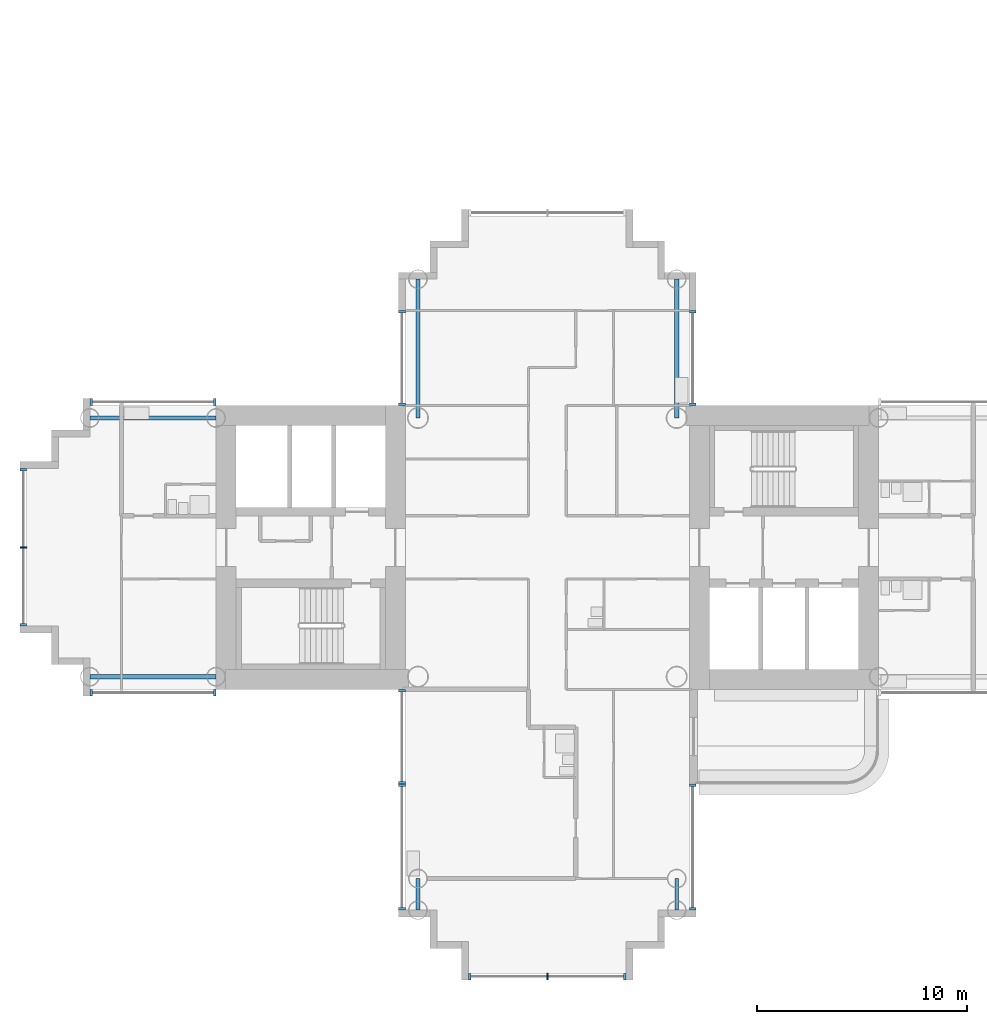
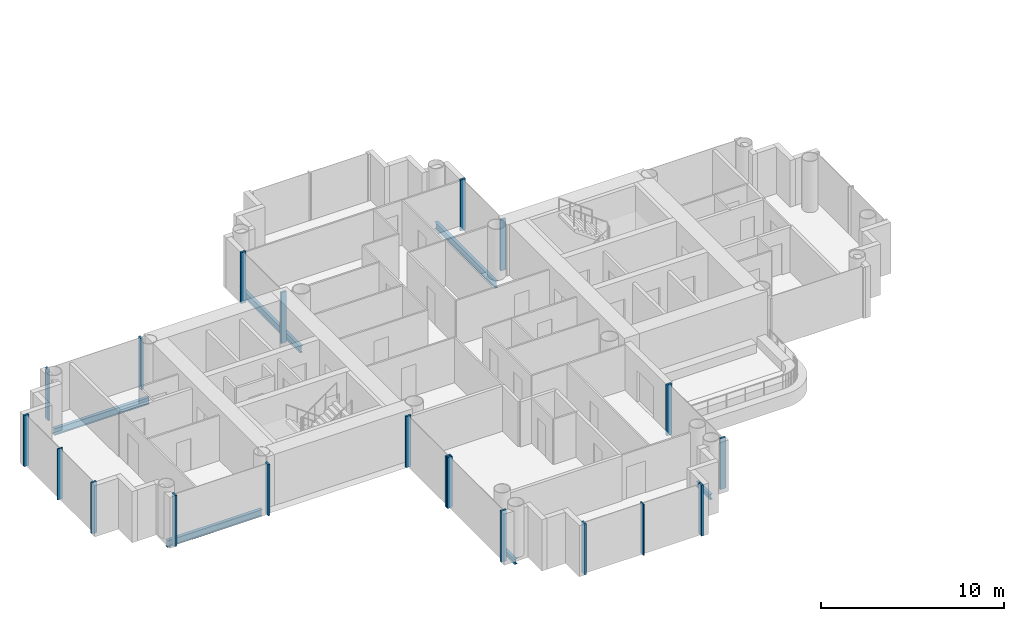
# One storey, part 3 of 21: 20 members, 6 beams, 9 elements without a shape of their own.
"""IFC4 building model written with IfcOpenShell, lengths in metres."""

from ifc_helpers import new_model, si_unit, direction, frame, origin, origin_2d, place, context, subcontext, project, spatial, rectangle, i_section, extrude, material, layer, layer_set, material_profile, profile_set, type_object, element, aggregate, save


model = new_model("IFC4")

# Units and contexts
model_context = context("Model", 3, precision=1e-05, world=origin(), true_north=direction((0.0, 1.0)))
body_context = subcontext(model_context, "Body", "Model", "MODEL_VIEW")
ifc_project = project(units=[si_unit("LENGTHUNIT", "METRE"), si_unit("AREAUNIT", "SQUARE_METRE"), si_unit("VOLUMEUNIT", "CUBIC_METRE"), si_unit("PLANEANGLEUNIT", "RADIAN"), si_unit("MASSUNIT", "GRAM", prefix="KILO")], contexts=[model_context])

# Site, building, storey
site_placement = place(None, origin())
site = spatial("IfcSite", under=ifc_project, at=site_placement, CompositionType="ELEMENT")
building_placement = place(site_placement, origin())
building = spatial("IfcBuilding", under=site, at=building_placement, Name="Ipe Terrace Towers", CompositionType="ELEMENT")
storey_placement = place(building_placement, frame((0.0, 0.0, 103.800048828125)))
storey = spatial("IfcBuildingStorey", under=building, at=storey_placement, Name="L28", CompositionType="ELEMENT", Elevation=103.800048828125)

# Beams
ifc_material_1 = material(Name="Steel S355", Category="steel")
ifc_material_profile_1 = material_profile(ifc_material_1, i_section(OverallWidth=0.175048828125, OverallDepth=0.35009765625, WebThickness=0.007080078125, FlangeThickness=0.010986328125, at=origin_2d()), Name="H-350x175x7x11")
ifc_profile_set_1 = profile_set([ifc_material_profile_1], Name="Steel S355")
beam_type_1 = type_object("IfcBeamType", Name="H04 EDGE BEAM H-350x175x7x11", PredefinedType="BEAM", material=ifc_profile_set_1)
for number, where, z_axis, x_axis, name in (
    (1, (-42.14990234375, -15.75, -0.574951171875), (0.0, -1.0, 0.0), (1.0, 0.0, 0.0), "Edge beam T1-EB-D03-D05"),
    (2, (-29.85009765625, -15.75, -0.574951171875), (0.0, -1.0, 0.0), (1.0, 0.0, 0.0), "Edge beam T1-EB-D04-D06"),
):
    element("IfcBeam", number, at=place(storey_placement, frame(where, z_axis=z_axis, x_axis=x_axis)), inside=storey, type_object=beam_type_1, Name=name, PredefinedType="BEAM", context=body_context, shape_type="SweptSolid", body=[
        extrude(i_section(OverallWidth=0.175048828125, OverallDepth=0.35009765625, WebThickness=0.007080078125, FlangeThickness=0.010986328125, at=origin_2d()), origin(), (0.0, 0.0, 1.0), 1.5),
    ])
ifc_material_2 = material(Name="Steel S355", Category="steel")
ifc_material_profile_2 = material_profile(ifc_material_2, i_section(OverallWidth=0.199951171875, OverallDepth=0.449951171875, WebThickness=0.009033203125, FlangeThickness=0.013916015625, at=origin_2d()), Name="H-450x200x9x14")
ifc_profile_set_2 = profile_set([ifc_material_profile_2], Name="Steel S355")
beam_type_2 = type_object("IfcBeamType", Name="H08 EDGE BEAM H-450x200x9x14", PredefinedType="BEAM", material=ifc_profile_set_2)
for number, where, z_axis, x_axis, name in (
    (3, (-29.85009765625, 12.75, -0.625), (0.0, -1.0, 0.0), (1.0, 0.0, 0.0), "Edge beam T1-EB-B01-E03"),
    (4, (-42.14990234375, 12.75, -0.625), (0.0, -1.0, 0.0), (1.0, 0.0, 0.0), "Edge beam T1-EB-B02-E04"),
):
    element("IfcBeam", number, at=place(storey_placement, frame(where, z_axis=z_axis, x_axis=x_axis)), inside=storey, type_object=beam_type_2, Name=name, PredefinedType="BEAM", context=body_context, shape_type="SweptSolid", body=[
        extrude(i_section(OverallWidth=0.199951171875, OverallDepth=0.449951171875, WebThickness=0.009033203125, FlangeThickness=0.013916015625, at=origin_2d()), origin(), (0.0, 0.0, 1.0), 6.60009765625),
    ])
for number, where, z_axis, x_axis, name in (
    (5, (-51.75, -6.14990234375, -0.625), (-1.0, 0.0, 0.0), (0.0, -1.0, 0.0), "Edge beam T1-EB-C01-C03"),
    (6, (-51.75, 6.14990234375, -0.625), (-1.0, 0.0, 0.0), (0.0, -1.0, 0.0), "Edge beam T1-EB-C02-C04"),
):
    element("IfcBeam", number, at=place(storey_placement, frame(where, z_axis=z_axis, x_axis=x_axis)), inside=storey, type_object=beam_type_2, Name=name, PredefinedType="BEAM", context=body_context, shape_type="SweptSolid", body=[
        extrude(i_section(OverallWidth=0.199951171875, OverallDepth=0.449951171875, WebThickness=0.009033203125, FlangeThickness=0.013916015625, at=origin_2d()), origin(), (0.0, 0.0, 1.0), 6.0),
    ])

# Curtain wall, members
ifc_material_3 = material(Name="Aluminium alloy 6063-T6", Category="aluminium")
ifc_layer = layer(ifc_material_3, 0.320068359375)
ifc_layer_set = layer_set([ifc_layer], Name="TOWER UNITISED CURTAIN WALL")
curtain_wall_type = type_object("IfcCurtainWallType", Name="TOWER UNITISED CURTAIN WALL", PredefinedType="NOTDEFINED", material=ifc_layer_set)
curtain_wall_1_placement = place(storey_placement, origin())
curtain_wall_1 = element("IfcCurtainWall", 7, at=curtain_wall_1_placement, inside=storey, type_object=curtain_wall_type, Name="T1-CW-L28-04a curtain wall", PredefinedType="NOTDEFINED")
ifc_material_4 = material(Name="Aluminium alloy 6063-T6", Category="aluminium")
ifc_material_profile_3 = material_profile(ifc_material_4, rectangle(XDim=0.320068359375, YDim=0.1201171875, at=origin_2d()), Name="TOWER UNITISED CORNER MULLION 320 x 120")
ifc_profile_set_3 = profile_set([ifc_material_profile_3], Name="Aluminium alloy 6063-T6")
member_type_1 = type_object("IfcMemberType", Name="TOWER UNITISED CORNER MULLION 320 x 120", PredefinedType="MULLION", material=ifc_profile_set_3)
member_1_placement = place(storey_placement, frame((-57.68994140625, -6.909912109375, -0.300048828125), z_axis=(0.0, 0.0, 1.0), x_axis=(0.0, -1.0, 0.0)))
member_1 = element("IfcMember", 8, at=member_1_placement, type_object=member_type_1, Name="T1-CW-L28-04a mullion 1", PredefinedType="MULLION", context=body_context, shape_type="SweptSolid", body=[
    extrude(rectangle(XDim=0.320068359375, YDim=0.1201171875, at=origin_2d()), origin(), (0.0, 0.0, 1.0), 3.39990234375),
])
member_2_placement = place(storey_placement, frame((-51.81103515625, -6.909912109375, -0.300048828125), z_axis=(0.0, 0.0, 1.0), x_axis=(0.0, -1.0, 0.0)))
member_2 = element("IfcMember", 9, at=member_2_placement, type_object=member_type_1, Name="T1-CW-L28-04a mullion 2", PredefinedType="MULLION", context=body_context, shape_type="SweptSolid", body=[
    extrude(rectangle(XDim=0.320068359375, YDim=0.1201171875, at=origin_2d()), origin(), (0.0, 0.0, 1.0), 3.39990234375),
])
aggregate(curtain_wall_1, [member_1, member_2])

curtain_wall_2_placement = place(storey_placement, origin())
curtain_wall_2 = element("IfcCurtainWall", 10, at=curtain_wall_2_placement, inside=storey, type_object=curtain_wall_type, Name="T1-CW-L28-06a curtain wall", PredefinedType="NOTDEFINED")
member_3_placement = place(storey_placement, frame((-42.909912109375, -6.81005859375, -0.300048828125), z_axis=(0.0, 0.0, 1.0), x_axis=(-1.0, 0.0, 0.0)))
member_3 = element("IfcMember", 11, at=member_3_placement, type_object=member_type_1, Name="T1-CW-L28-06a mullion 1", PredefinedType="MULLION", context=body_context, shape_type="SweptSolid", body=[
    extrude(rectangle(XDim=0.320068359375, YDim=0.1201171875, at=origin_2d()), origin(), (0.0, 0.0, 1.0), 3.39990234375),
])
member_4_placement = place(storey_placement, frame((-42.909912109375, -11.18994140625, -0.300048828125), z_axis=(0.0, 0.0, 1.0), x_axis=(-1.0, 0.0, 0.0)))
member_4 = element("IfcMember", 12, at=member_4_placement, type_object=member_type_1, Name="T1-CW-L28-06a mullion 2", PredefinedType="MULLION", context=body_context, shape_type="SweptSolid", body=[
    extrude(rectangle(XDim=0.320068359375, YDim=0.1201171875, at=origin_2d()), origin(), (0.0, 0.0, 1.0), 3.39990234375),
])
aggregate(curtain_wall_2, [member_3, member_4])

curtain_wall_3_placement = place(storey_placement, origin())
curtain_wall_3 = element("IfcCurtainWall", 13, at=curtain_wall_3_placement, inside=storey, type_object=curtain_wall_type, Name="T1-CW-L28-07a curtain wall", PredefinedType="NOTDEFINED")
member_5_placement = place(storey_placement, frame((-42.909912109375, -11.31005859375, -0.300048828125), z_axis=(0.0, 0.0, 1.0), x_axis=(-1.0, 0.0, 0.0)))
member_5 = element("IfcMember", 14, at=member_5_placement, type_object=member_type_1, Name="T1-CW-L28-07a mullion 1", PredefinedType="MULLION", context=body_context, shape_type="SweptSolid", body=[
    extrude(rectangle(XDim=0.320068359375, YDim=0.1201171875, at=origin_2d()), origin(), (0.0, 0.0, 1.0), 3.39990234375),
])
member_6_placement = place(storey_placement, frame((-42.909912109375, -17.18994140625, -0.300048828125), z_axis=(0.0, 0.0, 1.0), x_axis=(-1.0, 0.0, 0.0)))
member_6 = element("IfcMember", 15, at=member_6_placement, type_object=member_type_1, Name="T1-CW-L28-07a mullion 2", PredefinedType="MULLION", context=body_context, shape_type="SweptSolid", body=[
    extrude(rectangle(XDim=0.320068359375, YDim=0.1201171875, at=origin_2d()), origin(), (0.0, 0.0, 1.0), 3.39990234375),
])
aggregate(curtain_wall_3, [member_5, member_6])

curtain_wall_4_placement = place(storey_placement, origin())
curtain_wall_4 = element("IfcCurtainWall", 16, at=curtain_wall_4_placement, inside=storey, type_object=curtain_wall_type, Name="T1-CW-L28-12a curtain wall", PredefinedType="NOTDEFINED")
member_7_placement = place(storey_placement, frame((-39.68994140625, -20.409912109375, -0.300048828125), z_axis=(0.0, 0.0, 1.0), x_axis=(0.0, -1.0, 0.0)))
member_7 = element("IfcMember", 17, at=member_7_placement, type_object=member_type_1, Name="T1-CW-L28-12a mullion 1", PredefinedType="MULLION", context=body_context, shape_type="SweptSolid", body=[
    extrude(rectangle(XDim=0.320068359375, YDim=0.1201171875, at=origin_2d()), origin(), (0.0, 0.0, 1.0), 3.39990234375),
])
member_8_placement = place(storey_placement, frame((-32.31005859375, -20.409912109375, -0.300048828125), z_axis=(0.0, 0.0, 1.0), x_axis=(0.0, -1.0, 0.0)))
member_8 = element("IfcMember", 18, at=member_8_placement, type_object=member_type_1, Name="T1-CW-L28-12a mullion 3", PredefinedType="MULLION", context=body_context, shape_type="SweptSolid", body=[
    extrude(rectangle(XDim=0.320068359375, YDim=0.1201171875, at=origin_2d()), origin(), (0.0, 0.0, 1.0), 3.39990234375),
])

curtain_wall_5_placement = place(storey_placement, origin())
curtain_wall_5 = element("IfcCurtainWall", 19, at=curtain_wall_5_placement, inside=storey, type_object=curtain_wall_type, Name="T1-CW-L28-17a curtain wall", PredefinedType="NOTDEFINED")
member_9_placement = place(storey_placement, frame((-29.090087890625, -17.18994140625, -0.300048828125), z_axis=(0.0, 0.0, 1.0), x_axis=(1.0, 0.0, 0.0)))
member_9 = element("IfcMember", 20, at=member_9_placement, type_object=member_type_1, Name="T1-CW-L28-17a mullion 1", PredefinedType="MULLION", context=body_context, shape_type="SweptSolid", body=[
    extrude(rectangle(XDim=0.320068359375, YDim=0.1201171875, at=origin_2d()), origin(), (0.0, 0.0, 1.0), 3.39990234375),
])
member_10_placement = place(storey_placement, frame((-29.090087890625, -11.31005859375, -0.300048828125), z_axis=(0.0, 0.0, 1.0), x_axis=(1.0, 0.0, 0.0)))
member_10 = element("IfcMember", 21, at=member_10_placement, type_object=member_type_1, Name="T1-CW-L28-17a mullion 2", PredefinedType="MULLION", context=body_context, shape_type="SweptSolid", body=[
    extrude(rectangle(XDim=0.320068359375, YDim=0.1201171875, at=origin_2d()), origin(), (0.0, 0.0, 1.0), 3.39990234375),
])
aggregate(curtain_wall_5, [member_9, member_10])

curtain_wall_6_placement = place(storey_placement, origin())
curtain_wall_6 = element("IfcCurtainWall", 22, at=curtain_wall_6_placement, inside=storey, type_object=curtain_wall_type, Name="T1-CW-L28-32a curtain wall", PredefinedType="NOTDEFINED")
member_11_placement = place(storey_placement, frame((-29.090087890625, 6.81005859375, -0.300048828125), z_axis=(0.0, 0.0, 1.0), x_axis=(1.0, 0.0, 0.0)))
member_11 = element("IfcMember", 23, at=member_11_placement, type_object=member_type_1, Name="T1-CW-L28-32a mullion 1", PredefinedType="MULLION", context=body_context, shape_type="SweptSolid", body=[
    extrude(rectangle(XDim=0.320068359375, YDim=0.1201171875, at=origin_2d()), origin(), (0.0, 0.0, 1.0), 3.39990234375),
])
member_12_placement = place(storey_placement, frame((-29.090087890625, 11.18994140625, -0.300048828125), z_axis=(0.0, 0.0, 1.0), x_axis=(1.0, 0.0, 0.0)))
member_12 = element("IfcMember", 24, at=member_12_placement, type_object=member_type_1, Name="T1-CW-L28-32a mullion 2", PredefinedType="MULLION", context=body_context, shape_type="SweptSolid", body=[
    extrude(rectangle(XDim=0.320068359375, YDim=0.1201171875, at=origin_2d()), origin(), (0.0, 0.0, 1.0), 3.39990234375),
])
aggregate(curtain_wall_6, [member_11, member_12])

curtain_wall_7_placement = place(storey_placement, origin())
curtain_wall_7 = element("IfcCurtainWall", 25, at=curtain_wall_7_placement, inside=storey, type_object=curtain_wall_type, Name="T1-CW-L28-44a curtain wall", PredefinedType="NOTDEFINED")
member_13_placement = place(storey_placement, frame((-42.909912109375, 11.18994140625, -0.300048828125), z_axis=(0.0, 0.0, 1.0), x_axis=(-1.0, 0.0, 0.0)))
member_13 = element("IfcMember", 26, at=member_13_placement, type_object=member_type_1, Name="T1-CW-L28-44a mullion 1", PredefinedType="MULLION", context=body_context, shape_type="SweptSolid", body=[
    extrude(rectangle(XDim=0.320068359375, YDim=0.1201171875, at=origin_2d()), origin(), (0.0, 0.0, 1.0), 3.39990234375),
])
member_14_placement = place(storey_placement, frame((-42.909912109375, 6.81005859375, -0.300048828125), z_axis=(0.0, 0.0, 1.0), x_axis=(-1.0, 0.0, 0.0)))
member_14 = element("IfcMember", 27, at=member_14_placement, type_object=member_type_1, Name="T1-CW-L28-44a mullion 2", PredefinedType="MULLION", context=body_context, shape_type="SweptSolid", body=[
    extrude(rectangle(XDim=0.320068359375, YDim=0.1201171875, at=origin_2d()), origin(), (0.0, 0.0, 1.0), 3.39990234375),
])
aggregate(curtain_wall_7, [member_13, member_14])

curtain_wall_8_placement = place(storey_placement, origin())
curtain_wall_8 = element("IfcCurtainWall", 28, at=curtain_wall_8_placement, inside=storey, type_object=curtain_wall_type, Name="T1-CW-L28-46b curtain wall", PredefinedType="NOTDEFINED")
member_15_placement = place(storey_placement, frame((-51.81103515625, 6.909912109375, -0.300048828125), z_axis=(0.0, 0.0, 1.0), x_axis=(0.0, 1.0, 0.0)))
member_15 = element("IfcMember", 29, at=member_15_placement, type_object=member_type_1, Name="T1-CW-L28-46b mullion 1", PredefinedType="MULLION", context=body_context, shape_type="SweptSolid", body=[
    extrude(rectangle(XDim=0.320068359375, YDim=0.1201171875, at=origin_2d()), origin(), (0.0, 0.0, 1.0), 3.39990234375),
])
member_16_placement = place(storey_placement, frame((-57.68994140625, 6.909912109375, -0.300048828125), z_axis=(0.0, 0.0, 1.0), x_axis=(0.0, 1.0, 0.0)))
member_16 = element("IfcMember", 30, at=member_16_placement, type_object=member_type_1, Name="T1-CW-L28-46b mullion 2", PredefinedType="MULLION", context=body_context, shape_type="SweptSolid", body=[
    extrude(rectangle(XDim=0.320068359375, YDim=0.1201171875, at=origin_2d()), origin(), (0.0, 0.0, 1.0), 3.39990234375),
])
aggregate(curtain_wall_8, [member_15, member_16])

curtain_wall_9_placement = place(storey_placement, origin())
curtain_wall_9 = element("IfcCurtainWall", 31, at=curtain_wall_9_placement, inside=storey, type_object=curtain_wall_type, Name="T1-CW-L28-51a curtain wall", PredefinedType="NOTDEFINED")
member_17_placement = place(storey_placement, frame((-60.909912109375, 3.68994140625, -0.300048828125), z_axis=(0.0, 0.0, 1.0), x_axis=(-1.0, 0.0, 0.0)))
member_17 = element("IfcMember", 32, at=member_17_placement, type_object=member_type_1, Name="T1-CW-L28-51a mullion 1", PredefinedType="MULLION", context=body_context, shape_type="SweptSolid", body=[
    extrude(rectangle(XDim=0.320068359375, YDim=0.1201171875, at=origin_2d()), origin(), (0.0, 0.0, 1.0), 3.39990234375),
])
member_18_placement = place(storey_placement, frame((-60.909912109375, -3.68994140625, -0.300048828125), z_axis=(0.0, 0.0, 1.0), x_axis=(-1.0, 0.0, 0.0)))
member_18 = element("IfcMember", 33, at=member_18_placement, type_object=member_type_1, Name="T1-CW-L28-51a mullion 3", PredefinedType="MULLION", context=body_context, shape_type="SweptSolid", body=[
    extrude(rectangle(XDim=0.320068359375, YDim=0.1201171875, at=origin_2d()), origin(), (0.0, 0.0, 1.0), 3.39990234375),
])

# Member
ifc_material_5 = material(Name="Aluminium alloy 6063-T6", Category="aluminium")
ifc_material_profile_4 = material_profile(ifc_material_5, rectangle(XDim=0.320068359375, YDim=0.06494140625, at=origin_2d()), Name="TOWER UNITISED MULLION 320 x 65")
ifc_profile_set_4 = profile_set([ifc_material_profile_4], Name="Aluminium alloy 6063-T6")
member_type_2 = type_object("IfcMemberType", Name="TOWER UNITISED MULLION 320 x 65", PredefinedType="MULLION", material=ifc_profile_set_4)
member_19_placement = place(storey_placement, frame((-36.0, -20.409912109375, -0.300048828125), z_axis=(0.0, 0.0, 1.0), x_axis=(0.0, -1.0, 0.0)))
member_19 = element("IfcMember", 34, at=member_19_placement, type_object=member_type_2, Name="T1-CW-L28-12a mullion 2", PredefinedType="MULLION", context=body_context, shape_type="SweptSolid", body=[
    extrude(rectangle(XDim=0.320068359375, YDim=0.06494140625, at=origin_2d()), origin(), (0.0, 0.0, 1.0), 3.39990234375),
])

aggregate(curtain_wall_4, [member_7, member_19, member_8])

member_20_placement = place(storey_placement, frame((-60.909912109375, 0.0, -0.300048828125), z_axis=(0.0, 0.0, 1.0), x_axis=(-1.0, 0.0, 0.0)))
member_20 = element("IfcMember", 35, at=member_20_placement, type_object=member_type_2, Name="T1-CW-L28-51a mullion 2", PredefinedType="MULLION", context=body_context, shape_type="SweptSolid", body=[
    extrude(rectangle(XDim=0.320068359375, YDim=0.06494140625, at=origin_2d()), origin(), (0.0, 0.0, 1.0), 3.39990234375),
])

aggregate(curtain_wall_9, [member_17, member_20, member_18])

save(model, "model.ifc")
